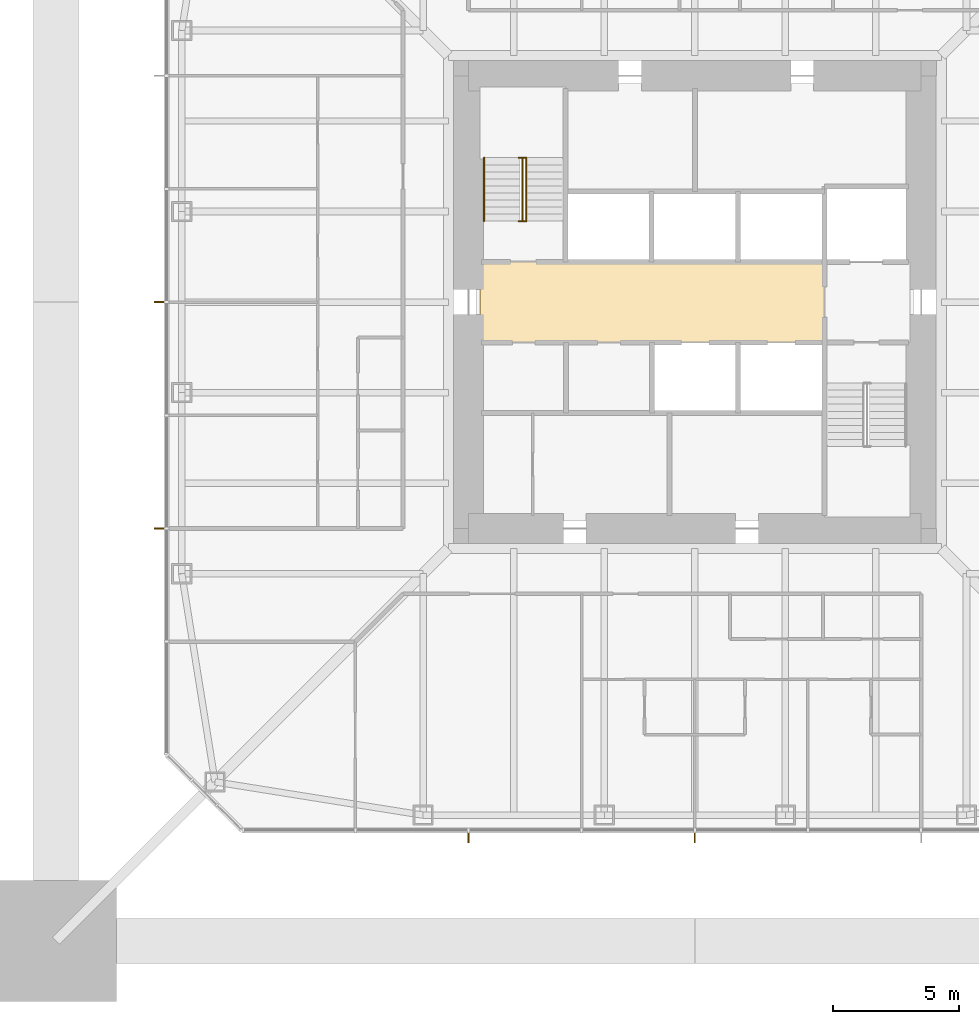
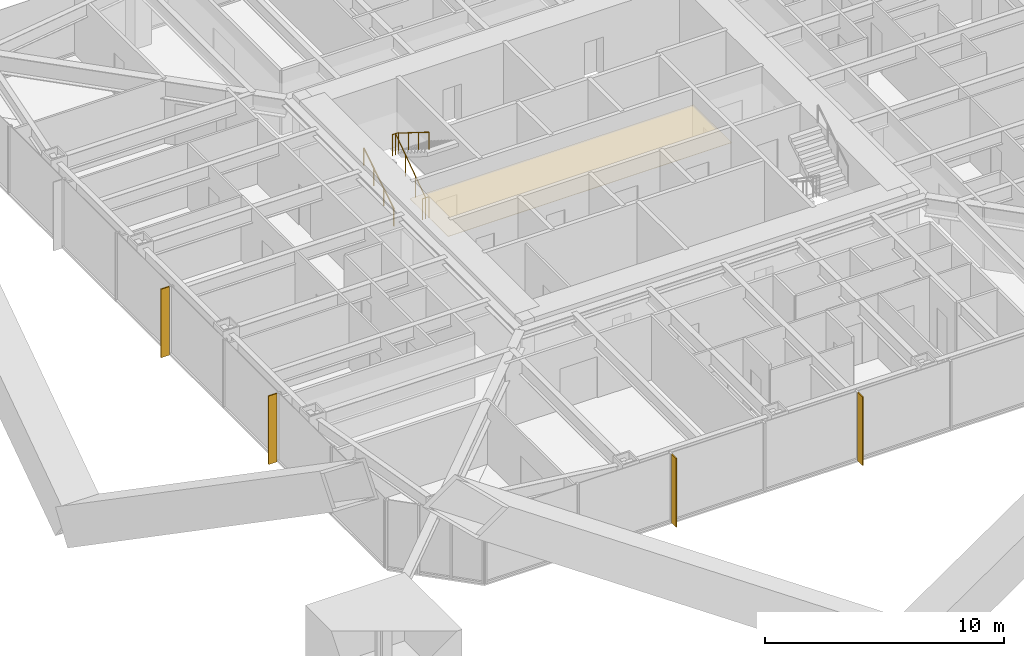
# One storey, part 14 of 17: 4 shading devices, 3 railings, 1 covering.
"""IFC4 building model written with IfcOpenShell, lengths in metres."""

from ifc_helpers import new_model, si_unit, direction, frame, origin, origin_2d, place, context, subcontext, project, spatial, polyline, rectangle, circle, outline, extrude, material, layer, layer_set, constituent, constituent_set, type_object, element, save


model = new_model("IFC4")

# Units and contexts
model_context = context("Model", 3, precision=1e-05, world=origin(), true_north=direction((0.0, 1.0)))
body_context = subcontext(model_context, "Body", "Model", "MODEL_VIEW")
ifc_project = project(units=[si_unit("LENGTHUNIT", "METRE"), si_unit("AREAUNIT", "SQUARE_METRE"), si_unit("VOLUMEUNIT", "CUBIC_METRE"), si_unit("PLANEANGLEUNIT", "RADIAN"), si_unit("MASSUNIT", "GRAM", prefix="KILO")], contexts=[model_context])

# Site, building, storey
site_placement = place(None, origin())
site = spatial("IfcSite", under=ifc_project, at=site_placement, CompositionType="ELEMENT")
building_placement = place(site_placement, origin())
building = spatial("IfcBuilding", under=site, at=building_placement, Name="Iwan Alto Co-Living Towers", CompositionType="ELEMENT")
storey_placement = place(building_placement, frame((0.0, 0.0, 133.0)))
storey = spatial("IfcBuildingStorey", under=building, at=storey_placement, Name="L36", CompositionType="ELEMENT", Elevation=133.0)

# Covering
ifc_material_1 = material(Name="Mineral fibre acoustic tiles on steel grid", Category="steel")
ifc_layer_1 = layer(ifc_material_1, 0.02001953125)
ifc_layer_set_1 = layer_set([ifc_layer_1], Name="ACOUSTIC TILE CEILING 20")
covering_type = type_object("IfcCoveringType", Name="ACOUSTIC TILE CEILING 20", PredefinedType="CEILING", material=ifc_layer_set_1)
covering_placement = place(storey_placement, frame((0.0, 0.0, 2.60009765625)))
element("IfcCovering", 1, at=covering_placement, inside=storey, type_object=covering_type, Name="Ceiling Lift lobby L36", PredefinedType="CEILING", context=body_context, shape_type="SweptSolid", body=[
    extrude(outline(polyline([(-8.550048828125, -1.60009765625), (-8.550048828125, 1.60009765625), (5.14990234375, 1.60009765625), (5.14990234375, -1.60009765625), (-8.550048828125, -1.60009765625)])), origin(), (0.0, 0.0, 1.0), 0.02001953125),
])

# Shading devices
ifc_material_2 = material(Name="Aluminium 6063-T6 bronze anodised", Category="aluminium")
ifc_layer_2 = layer(ifc_material_2, 0.050048828125)
ifc_layer_set_2 = layer_set([ifc_layer_2], Name="BRONZE FIN 50X400")
shading_device_type = type_object("IfcShadingDeviceType", Name="BRONZE FIN 50X400", PredefinedType="USERDEFINED", material=ifc_layer_set_2)
for number, where, z_axis, x_axis, name in (
    (2, (-9.0, -21.300048828125, 0.0), (0.0, 0.0, 1.0), (1.0, 0.0, 0.0), "Bronze fin L36"),
    (3, (0.0, -21.300048828125, 0.0), (0.0, 0.0, 1.0), (1.0, 0.0, 0.0), "Bronze fin L36"),
    (4, (-21.300048828125, 0.0, 0.0), (0.0, 0.0, 1.0), (0.0, -1.0, 0.0), "Bronze fin L36"),
    (5, (-21.300048828125, -9.0, 0.0), (0.0, 0.0, 1.0), (0.0, -1.0, 0.0), "Bronze fin L36"),
):
    element("IfcShadingDevice", number, at=place(storey_placement, frame(where, z_axis=z_axis, x_axis=x_axis)), inside=storey, type_object=shading_device_type, Name=name, ObjectType="LOUVER", PredefinedType="USERDEFINED", context=body_context, shape_type="SweptSolid", body=[
        extrude(rectangle(XDim=0.050048828125, YDim=0.39990234375, at=origin_2d()), origin(), (0.0, 0.0, 1.0), 3.5),
    ])

# Railings
ifc_material_3 = material(Name="Steel ASTM A500 Gr C", Category="steel")
ifc_constituent_1 = constituent(ifc_material_3, Name="Rails and posts", Category="Framing")
ifc_material_4 = material(Name="Steel ASTM A36", Category="steel")
ifc_constituent_2 = constituent(ifc_material_4, Name="Bar infill", Category="Infill")
ifc_constituent_set = constituent_set(constituents=[ifc_constituent_1, ifc_constituent_2], Name="STAIR GUARD 1100")
railing_type_1 = type_object("IfcRailingType", Name="STAIR GUARD 1100", PredefinedType="GUARDRAIL", material=ifc_constituent_set)
railing_1_placement = place(storey_placement, frame((-6.85009765625, 3.219970703125, 0.0)))
element("IfcRailing", 6, at=railing_1_placement, inside=storey, type_object=railing_type_1, Name="Stair T1-S1 well guard L36", PredefinedType="GUARDRAIL", context=body_context, shape_type="SweptSolid", body=[
    extrude(circle(Radius=0.02392578125, at=origin_2d()), frame((0.0, 0.0, 1.076171875), z_axis=(0.0, 0.821372036852, 0.570392826987), x_axis=(-1.0, 0.0, 0.0)), (0.0, 0.0, 1.0), 3.068115234375),
    extrude(circle(Radius=0.02392578125, at=origin_2d()), frame((-0.14990234375, 0.0, 1.076171875), z_axis=(1.0, 0.0, 0.0), x_axis=(0.0, 1.0, 0.0)), (0.0, 0.0, 1.0), 0.300048828125),
    extrude(circle(Radius=0.02392578125, at=origin_2d()), frame((-0.14990234375, 2.52001953125, 2.826171875), z_axis=(1.0, 0.0, 0.0), x_axis=(0.0, 1.0, 0.0)), (0.0, 0.0, 1.0), 0.300048828125),
    extrude(circle(Radius=0.02099609375, at=origin_2d()), origin(), (0.0, 0.0, 1.0), 1.052001953125),
    extrude(circle(Radius=0.02099609375, at=origin_2d()), frame((0.0, 0.840087890625, 0.583251953125)), (0.0, 0.0, 1.0), 1.052001953125),
    extrude(circle(Radius=0.02099609375, at=origin_2d()), frame((0.0, 1.679931640625, 1.166748046875)), (0.0, 0.0, 1.0), 1.052001953125),
    extrude(circle(Radius=0.02099609375, at=origin_2d()), frame((0.0, 2.52001953125, 1.75)), (0.0, 0.0, 1.0), 1.052001953125),
    extrude(circle(Radius=0.02099609375, at=origin_2d()), frame((-0.14990234375, 0.0, 0.0)), (0.0, 0.0, 1.0), 1.052001953125),
    extrude(circle(Radius=0.02099609375, at=origin_2d()), frame((0.150146484375, 0.0, 0.0)), (0.0, 0.0, 1.0), 1.052001953125),
    extrude(circle(Radius=0.02099609375, at=origin_2d()), frame((-0.14990234375, 2.52001953125, 1.75)), (0.0, 0.0, 1.0), 1.052001953125),
    extrude(circle(Radius=0.02099609375, at=origin_2d()), frame((0.150146484375, 2.52001953125, 1.75)), (0.0, 0.0, 1.0), 1.052001953125),
])
ifc_material_5 = material(Name="Steel ASTM A500 Gr C", Category="steel")
railing_type_2 = type_object("IfcRailingType", Name="STAIR HANDRAIL 900", PredefinedType="HANDRAIL", material=ifc_material_5)
railing_2_placement = place(storey_placement, frame((-8.3798828125, 3.219970703125, 0.175048828125)))
element("IfcRailing", 7, at=railing_2_placement, inside=storey, type_object=railing_type_2, Name="Stair T1-S1 handrail 1 L36", PredefinedType="HANDRAIL", context=body_context, shape_type="SweptSolid", body=[
    extrude(circle(Radius=0.02392578125, at=origin_2d()), frame((0.0, 0.0, 0.8759765625), z_axis=(0.0, 0.848007534815, 0.529984170421), x_axis=(-1.0, 0.0, 0.0)), (0.0, 0.0, 1.0), 2.9716796875),
    extrude(circle(Radius=0.02099609375, at=origin_2d()), origin(), (0.0, 0.0, 1.0), 0.851806640625),
    extrude(circle(Radius=0.02099609375, at=origin_2d()), frame((0.0, 0.840087890625, 0.52490234375)), (0.0, 0.0, 1.0), 0.851806640625),
    extrude(circle(Radius=0.02099609375, at=origin_2d()), frame((0.0, 1.679931640625, 1.050048828125)), (0.0, 0.0, 1.0), 0.851806640625),
    extrude(circle(Radius=0.02099609375, at=origin_2d()), frame((0.0, 2.52001953125, 1.574951171875)), (0.0, 0.0, 1.0), 0.851806640625),
])
railing_3_placement = place(storey_placement, frame((-6.699951171875, 5.739990234375, 1.925048828125)))
element("IfcRailing", 8, at=railing_3_placement, inside=storey, type_object=railing_type_2, Name="Stair T1-S1 handrail 2 L36", PredefinedType="HANDRAIL", context=body_context, shape_type="SweptSolid", body=[
    extrude(circle(Radius=0.02392578125, at=origin_2d()), frame((0.0, 0.0, 0.8759765625), z_axis=(0.0, -0.848007534815, 0.529984170421), x_axis=(1.0, 0.0, 0.0)), (0.0, 0.0, 1.0), 2.9716796875),
    extrude(circle(Radius=0.02099609375, at=origin_2d()), origin(), (0.0, 0.0, 1.0), 0.851806640625),
    extrude(circle(Radius=0.02099609375, at=origin_2d()), frame((0.0, -0.840087890625, 0.52490234375)), (0.0, 0.0, 1.0), 0.851806640625),
    extrude(circle(Radius=0.02099609375, at=origin_2d()), frame((0.0, -1.679931640625, 1.050048828125)), (0.0, 0.0, 1.0), 0.851806640625),
    extrude(circle(Radius=0.02099609375, at=origin_2d()), frame((0.0, -2.52001953125, 1.574951171875)), (0.0, 0.0, 1.0), 0.851806640625),
])

save(model, "model.ifc")
